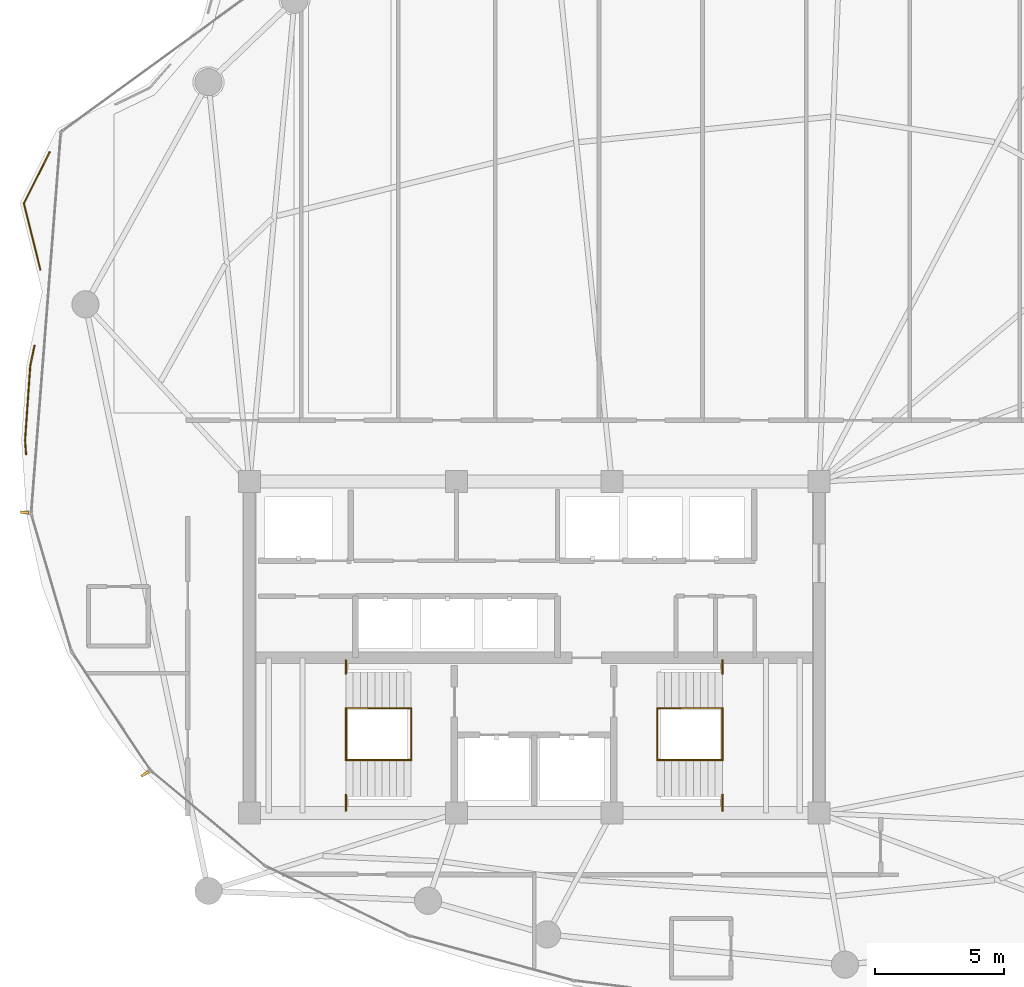
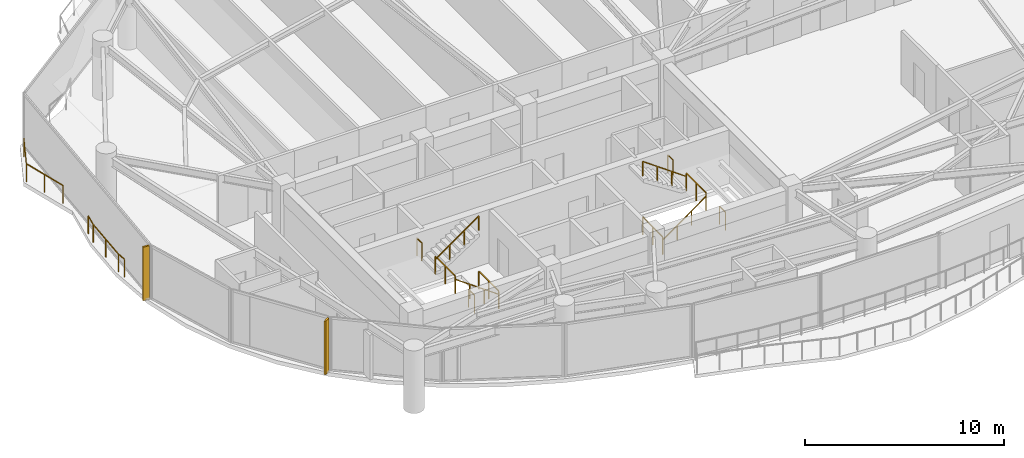
# One storey, part 29 of 31: 14 railings, 2 shading devices.
"""IFC4 building model written with IfcOpenShell, lengths in metres."""

from ifc_helpers import new_model, si_unit, direction, frame, origin, origin_2d, place, context, subcontext, project, spatial, rectangle, extrude, material, type_object, element, save


model = new_model("IFC4")

# Units and contexts
model_context = context("Model", 3, precision=1e-05, world=origin(), true_north=direction((0.0, 1.0)))
body_context = subcontext(model_context, "Body", "Model", "MODEL_VIEW")
ifc_project = project(units=[si_unit("LENGTHUNIT", "METRE"), si_unit("AREAUNIT", "SQUARE_METRE"), si_unit("VOLUMEUNIT", "CUBIC_METRE"), si_unit("PLANEANGLEUNIT", "RADIAN"), si_unit("MASSUNIT", "GRAM", prefix="KILO")], contexts=[model_context])

# Site, building, storey
site_placement = place(None, origin())
site = spatial("IfcSite", under=ifc_project, at=site_placement, CompositionType="ELEMENT")
building_placement = place(site_placement, origin())
building = spatial("IfcBuilding", under=site, at=building_placement, Name="Kazevale Care Tower and Concert Hall", CompositionType="ELEMENT")
storey_placement = place(building_placement, frame((0.0, 0.0, 187.199951171875)))
storey = spatial("IfcBuildingStorey", under=building, at=storey_placement, Name="L49", CompositionType="ELEMENT", Elevation=187.199951171875)

# Railings
ifc_material_1 = material(Name="Anodised Bronze Aluminium and Laminated Glass", Category="aluminium")
railing_type_1 = type_object("IfcRailingType", Name="Balcony and Terrace Balustrade 1120", PredefinedType="BALUSTRADE", material=ifc_material_1)
railing_1_placement = place(storey_placement, frame((13.3779296875, 37.467041015625, 0.0)))
element("IfcRailing", 1, at=railing_1_placement, inside=storey, type_object=railing_type_1, Name="rail:L49:perim:1", PredefinedType="BALUSTRADE", context=body_context, shape_type="SweptSolid", body=[
    extrude(rectangle(XDim=0.048095703125, YDim=0.048095703125, at=origin_2d()), frame((0.0, 0.0, 1.09619140625), z_axis=(-0.070824900757, 0.997488763562, 0.0), x_axis=(-0.997488763562, -0.070824900757, 0.0)), (0.0, 0.0, 1.0), 0.5341796875),
    extrude(rectangle(XDim=0.048095703125, YDim=0.048095703125, at=origin_2d()), frame((-0.037841796875, 0.532958984375, 1.09619140625), z_axis=(0.069189590327, 0.997603528758, 0.0), x_axis=(-0.997603528758, 0.069189590327, 0.0)), (0.0, 0.0, 1.0), 2.875732421875),
    extrude(rectangle(XDim=0.048095703125, YDim=0.048095703125, at=origin_2d()), frame((0.1611328125, 3.40185546875, 1.09619140625), z_axis=(0.204489697566, 0.978868716218, 0.0), x_axis=(-0.978868716218, 0.204489697566, 0.0)), (0.0, 0.0, 1.0), 0.801025390625),
    extrude(rectangle(XDim=0.0419921875, YDim=0.0419921875, at=origin_2d()), origin(), (0.0, 0.0, 1.0), 1.072021484375),
    extrude(rectangle(XDim=0.0419921875, YDim=0.0419921875, at=origin_2d()), frame((-0.037841796875, 0.532958984375, 0.0)), (0.0, 0.0, 1.0), 1.072021484375),
    extrude(rectangle(XDim=0.0419921875, YDim=0.0419921875, at=origin_2d()), frame((0.0615234375, 1.96728515625, 0.0)), (0.0, 0.0, 1.0), 1.072021484375),
    extrude(rectangle(XDim=0.0419921875, YDim=0.0419921875, at=origin_2d()), frame((0.1611328125, 3.40185546875, 0.0)), (0.0, 0.0, 1.0), 1.072021484375),
    extrude(rectangle(XDim=0.0419921875, YDim=0.0419921875, at=origin_2d()), frame((0.324951171875, 4.18603515625, 0.0)), (0.0, 0.0, 1.0), 1.072021484375),
])
railing_2_placement = place(storey_placement, frame((13.930908203125, 44.5849609375, 0.0)))
element("IfcRailing", 2, at=railing_2_placement, inside=storey, type_object=railing_type_1, Name="rail:L49:perim:2", PredefinedType="BALUSTRADE", context=body_context, shape_type="SweptSolid", body=[
    extrude(rectangle(XDim=0.048095703125, YDim=0.048095703125, at=origin_2d()), frame((0.0, 0.0, 1.09619140625), z_axis=(-0.241796398664, 0.970327007556, 0.0), x_axis=(-0.970327007556, -0.241796398664, 0.0)), (0.0, 0.0, 1.0), 2.642333984375),
    extrude(rectangle(XDim=0.048095703125, YDim=0.048095703125, at=origin_2d()), frame((-0.638916015625, 2.56396484375, 1.09619140625), z_axis=(0.450269666924, 0.892892617871, 0.0), x_axis=(-0.892892617871, 0.450269666924, 0.0)), (0.0, 0.0, 1.0), 2.202880859375),
    extrude(rectangle(XDim=0.0419921875, YDim=0.0419921875, at=origin_2d()), origin(), (0.0, 0.0, 1.0), 1.072021484375),
    extrude(rectangle(XDim=0.0419921875, YDim=0.0419921875, at=origin_2d()), frame((-0.3193359375, 1.281982421875, 0.0)), (0.0, 0.0, 1.0), 1.072021484375),
    extrude(rectangle(XDim=0.0419921875, YDim=0.0419921875, at=origin_2d()), frame((-0.638916015625, 2.56396484375, 0.0)), (0.0, 0.0, 1.0), 1.072021484375),
    extrude(rectangle(XDim=0.0419921875, YDim=0.0419921875, at=origin_2d()), frame((0.35302734375, 4.531005859375, 0.0)), (0.0, 0.0, 1.0), 1.072021484375),
])
ifc_material_2 = material(Name="Stainless Steel 316", Category="steel")
railing_type_2 = type_object("IfcRailingType", Name="Stair Pitch Handrail 920", PredefinedType="HANDRAIL", material=ifc_material_2)
railing_3_placement = place(storey_placement, frame((28.25, 25.64990234375, 0.0)))
element("IfcRailing", 3, at=railing_3_placement, inside=storey, type_object=railing_type_2, Name="stair:L49:ST1:hr1", PredefinedType="HANDRAIL", context=body_context, shape_type="SweptSolid", body=[
    extrude(rectangle(XDim=0.048095703125, YDim=0.048095703125, at=origin_2d()), frame((0.0, 0.0, 0.89599609375), z_axis=(-0.813728144527, 0.0, 0.581245650998), x_axis=(0.0, -1.0, 0.0)), (0.0, 0.0, 1.0), 3.096923828125),
    extrude(rectangle(XDim=0.0419921875, YDim=0.0419921875, at=origin_2d()), origin(), (0.0, 0.0, 1.0), 0.871826171875),
    extrude(rectangle(XDim=0.0419921875, YDim=0.0419921875, at=origin_2d()), frame((-0.840087890625, 0.0, 0.60009765625)), (0.0, 0.0, 1.0), 0.871826171875),
    extrude(rectangle(XDim=0.0419921875, YDim=0.0419921875, at=origin_2d()), frame((-1.679931640625, 0.0, 1.199951171875)), (0.0, 0.0, 1.0), 0.871826171875),
    extrude(rectangle(XDim=0.0419921875, YDim=0.0419921875, at=origin_2d()), frame((-2.52001953125, 0.0, 1.800048828125)), (0.0, 0.0, 1.0), 0.871826171875),
])
for number, where, name in (
    (4, (25.72998046875, 27.64990234375, 1.800048828125), "stair:L49:ST1:hr2"),
    (5, (37.75, 25.64990234375, 0.0), "stair:L49:ST2:hr1"),
):
    element("IfcRailing", number, at=place(storey_placement, frame(where)), inside=storey, type_object=railing_type_2, Name=name, PredefinedType="HANDRAIL", context=body_context, shape_type="SweptSolid", body=[
        extrude(rectangle(XDim=0.048095703125, YDim=0.048095703125, at=origin_2d()), frame((0.0, 0.0, 0.89599609375), z_axis=(0.813728144527, 0.0, 0.581245650998), x_axis=(0.0, 1.0, 0.0)), (0.0, 0.0, 1.0), 3.096923828125),
        extrude(rectangle(XDim=0.0419921875, YDim=0.0419921875, at=origin_2d()), origin(), (0.0, 0.0, 1.0), 0.871826171875),
        extrude(rectangle(XDim=0.0419921875, YDim=0.0419921875, at=origin_2d()), frame((0.840087890625, 0.0, 0.60009765625)), (0.0, 0.0, 1.0), 0.871826171875),
        extrude(rectangle(XDim=0.0419921875, YDim=0.0419921875, at=origin_2d()), frame((1.679931640625, 0.0, 1.199951171875)), (0.0, 0.0, 1.0), 0.871826171875),
        extrude(rectangle(XDim=0.0419921875, YDim=0.0419921875, at=origin_2d()), frame((2.52001953125, 0.0, 1.800048828125)), (0.0, 0.0, 1.0), 0.871826171875),
    ])
railing_4_placement = place(storey_placement, frame((40.27001953125, 27.64990234375, 1.800048828125)))
element("IfcRailing", 6, at=railing_4_placement, inside=storey, type_object=railing_type_2, Name="stair:L49:ST2:hr2", PredefinedType="HANDRAIL", context=body_context, shape_type="SweptSolid", body=[
    extrude(rectangle(XDim=0.048095703125, YDim=0.048095703125, at=origin_2d()), frame((0.0, 0.0, 0.89599609375), z_axis=(-0.813728144527, 0.0, 0.581245650998), x_axis=(0.0, -1.0, 0.0)), (0.0, 0.0, 1.0), 3.096923828125),
    extrude(rectangle(XDim=0.0419921875, YDim=0.0419921875, at=origin_2d()), origin(), (0.0, 0.0, 1.0), 0.871826171875),
    extrude(rectangle(XDim=0.0419921875, YDim=0.0419921875, at=origin_2d()), frame((-0.840087890625, 0.0, 0.60009765625)), (0.0, 0.0, 1.0), 0.871826171875),
    extrude(rectangle(XDim=0.0419921875, YDim=0.0419921875, at=origin_2d()), frame((-1.679931640625, 0.0, 1.199951171875)), (0.0, 0.0, 1.0), 0.871826171875),
    extrude(rectangle(XDim=0.0419921875, YDim=0.0419921875, at=origin_2d()), frame((-2.52001953125, 0.0, 1.800048828125)), (0.0, 0.0, 1.0), 0.871826171875),
])
railing_type_3 = type_object("IfcRailingType", Name="Stair Well Guard Balustrade 1120", PredefinedType="BALUSTRADE", material=ifc_material_2)
railing_5_placement = place(storey_placement, frame((25.72998046875, 23.699951171875, 1.800048828125)))
element("IfcRailing", 7, at=railing_5_placement, inside=storey, type_object=railing_type_3, Name="stair:L49:ST1:grd_side1", PredefinedType="BALUSTRADE", context=body_context, shape_type="SweptSolid", body=[
    extrude(rectangle(XDim=0.048095703125, YDim=0.048095703125, at=origin_2d()), frame((0.0, 0.0, 1.09619140625), z_axis=(0.0, 1.0, 0.0), x_axis=(-1.0, 0.0, 0.0)), (0.0, 0.0, 1.0), 0.610107421875),
    extrude(rectangle(XDim=0.0419921875, YDim=0.0419921875, at=origin_2d()), origin(), (0.0, 0.0, 1.0), 1.072021484375),
    extrude(rectangle(XDim=0.0419921875, YDim=0.0419921875, at=origin_2d()), frame((0.0, 0.610107421875, 0.0)), (0.0, 0.0, 1.0), 1.072021484375),
])
railing_6_placement = place(storey_placement, frame((25.72998046875, 28.989990234375, 1.800048828125)))
element("IfcRailing", 8, at=railing_6_placement, inside=storey, type_object=railing_type_3, Name="stair:L49:ST1:grd_side2", PredefinedType="BALUSTRADE", context=body_context, shape_type="SweptSolid", body=[
    extrude(rectangle(XDim=0.048095703125, YDim=0.048095703125, at=origin_2d()), frame((0.0, 0.0, 1.09619140625), z_axis=(0.0, 1.0, 0.0), x_axis=(-1.0, 0.0, 0.0)), (0.0, 0.0, 1.0), 0.510009765625),
    extrude(rectangle(XDim=0.0419921875, YDim=0.0419921875, at=origin_2d()), origin(), (0.0, 0.0, 1.0), 1.072021484375),
    extrude(rectangle(XDim=0.0419921875, YDim=0.0419921875, at=origin_2d()), frame((0.0, 0.510009765625, 0.0)), (0.0, 0.0, 1.0), 1.072021484375),
])
for number, where, name in (
    (9, (25.72998046875, 25.64990234375, 1.800048828125), "stair:L49:ST1:grd_mid"),
    (10, (28.25, 25.64990234375, 0.0), "stair:L49:ST1:grd_flr"),
):
    element("IfcRailing", number, at=place(storey_placement, frame(where)), inside=storey, type_object=railing_type_3, Name=name, PredefinedType="BALUSTRADE", context=body_context, shape_type="SweptSolid", body=[
        extrude(rectangle(XDim=0.048095703125, YDim=0.048095703125, at=origin_2d()), frame((0.0, 0.0, 1.09619140625), z_axis=(0.0, 1.0, 0.0), x_axis=(-1.0, 0.0, 0.0)), (0.0, 0.0, 1.0), 2.0),
        extrude(rectangle(XDim=0.0419921875, YDim=0.0419921875, at=origin_2d()), origin(), (0.0, 0.0, 1.0), 1.072021484375),
        extrude(rectangle(XDim=0.0419921875, YDim=0.0419921875, at=origin_2d()), frame((0.0, 1.0, 0.0)), (0.0, 0.0, 1.0), 1.072021484375),
        extrude(rectangle(XDim=0.0419921875, YDim=0.0419921875, at=origin_2d()), frame((0.0, 2.0, 0.0)), (0.0, 0.0, 1.0), 1.072021484375),
    ])
railing_7_placement = place(storey_placement, frame((40.27001953125, 23.699951171875, 1.800048828125)))
element("IfcRailing", 11, at=railing_7_placement, inside=storey, type_object=railing_type_3, Name="stair:L49:ST2:grd_side1", PredefinedType="BALUSTRADE", context=body_context, shape_type="SweptSolid", body=[
    extrude(rectangle(XDim=0.048095703125, YDim=0.048095703125, at=origin_2d()), frame((0.0, 0.0, 1.09619140625), z_axis=(0.0, 1.0, 0.0), x_axis=(-1.0, 0.0, 0.0)), (0.0, 0.0, 1.0), 0.610107421875),
    extrude(rectangle(XDim=0.0419921875, YDim=0.0419921875, at=origin_2d()), origin(), (0.0, 0.0, 1.0), 1.072021484375),
    extrude(rectangle(XDim=0.0419921875, YDim=0.0419921875, at=origin_2d()), frame((0.0, 0.610107421875, 0.0)), (0.0, 0.0, 1.0), 1.072021484375),
])
railing_8_placement = place(storey_placement, frame((40.27001953125, 28.989990234375, 1.800048828125)))
element("IfcRailing", 12, at=railing_8_placement, inside=storey, type_object=railing_type_3, Name="stair:L49:ST2:grd_side2", PredefinedType="BALUSTRADE", context=body_context, shape_type="SweptSolid", body=[
    extrude(rectangle(XDim=0.048095703125, YDim=0.048095703125, at=origin_2d()), frame((0.0, 0.0, 1.09619140625), z_axis=(0.0, 1.0, 0.0), x_axis=(-1.0, 0.0, 0.0)), (0.0, 0.0, 1.0), 0.510009765625),
    extrude(rectangle(XDim=0.0419921875, YDim=0.0419921875, at=origin_2d()), origin(), (0.0, 0.0, 1.0), 1.072021484375),
    extrude(rectangle(XDim=0.0419921875, YDim=0.0419921875, at=origin_2d()), frame((0.0, 0.510009765625, 0.0)), (0.0, 0.0, 1.0), 1.072021484375),
])
for number, where, name in (
    (13, (40.27001953125, 25.64990234375, 1.800048828125), "stair:L49:ST2:grd_mid"),
    (14, (37.75, 25.64990234375, 0.0), "stair:L49:ST2:grd_flr"),
):
    element("IfcRailing", number, at=place(storey_placement, frame(where)), inside=storey, type_object=railing_type_3, Name=name, PredefinedType="BALUSTRADE", context=body_context, shape_type="SweptSolid", body=[
        extrude(rectangle(XDim=0.048095703125, YDim=0.048095703125, at=origin_2d()), frame((0.0, 0.0, 1.09619140625), z_axis=(0.0, 1.0, 0.0), x_axis=(-1.0, 0.0, 0.0)), (0.0, 0.0, 1.0), 2.0),
        extrude(rectangle(XDim=0.0419921875, YDim=0.0419921875, at=origin_2d()), origin(), (0.0, 0.0, 1.0), 1.072021484375),
        extrude(rectangle(XDim=0.0419921875, YDim=0.0419921875, at=origin_2d()), frame((0.0, 1.0, 0.0)), (0.0, 0.0, 1.0), 1.072021484375),
        extrude(rectangle(XDim=0.0419921875, YDim=0.0419921875, at=origin_2d()), frame((0.0, 2.0, 0.0)), (0.0, 0.0, 1.0), 1.072021484375),
    ])

# Shading devices
ifc_material_3 = material(Name="Anodised Bronze Aluminium", Category="aluminium")
shading_device_type = type_object("IfcShadingDeviceType", Name="Waist Anodised Bronze-Stone Fin FIN-02", PredefinedType="USERDEFINED", material=ifc_material_3)
for number, where, z_axis, x_axis, name in (
    (15, (17.972900390625, 25.121337890625, 0.0), (0.0, 0.0, 1.0), (-0.832147748683, -0.554553986878, 0.0), "cw:L49:f11:fin"),
    (16, (13.326904296875, 35.216796875, 0.0), (0.0, 0.0, 1.0), (-0.996985422604, 0.077589091471, 0.0), "cw:L49:f13:fin"),
):
    element("IfcShadingDevice", number, at=place(storey_placement, frame(where, z_axis=z_axis, x_axis=x_axis)), inside=storey, type_object=shading_device_type, Name=name, ObjectType="FIN", PredefinedType="USERDEFINED", context=body_context, shape_type="SweptSolid", body=[
        extrude(rectangle(XDim=0.340087890625, YDim=0.10009765625, at=origin_2d()), origin(), (0.0, 0.0, 1.0), 3.280029296875),
    ])

save(model, "model.ifc")
